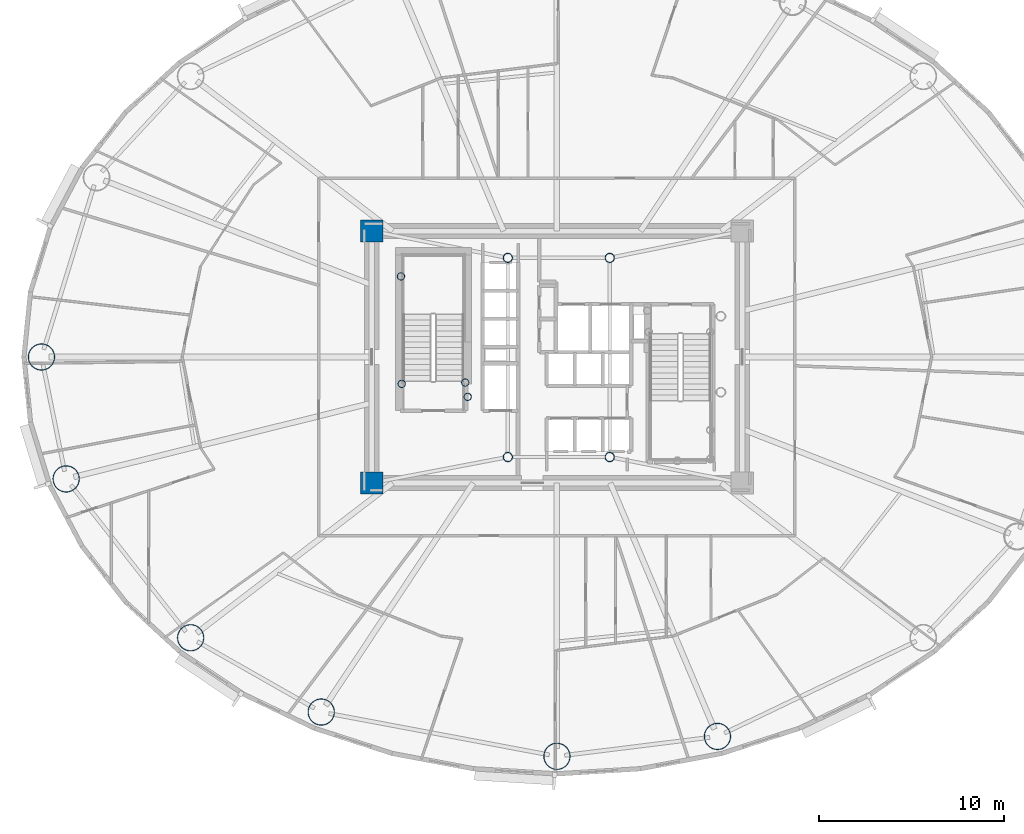
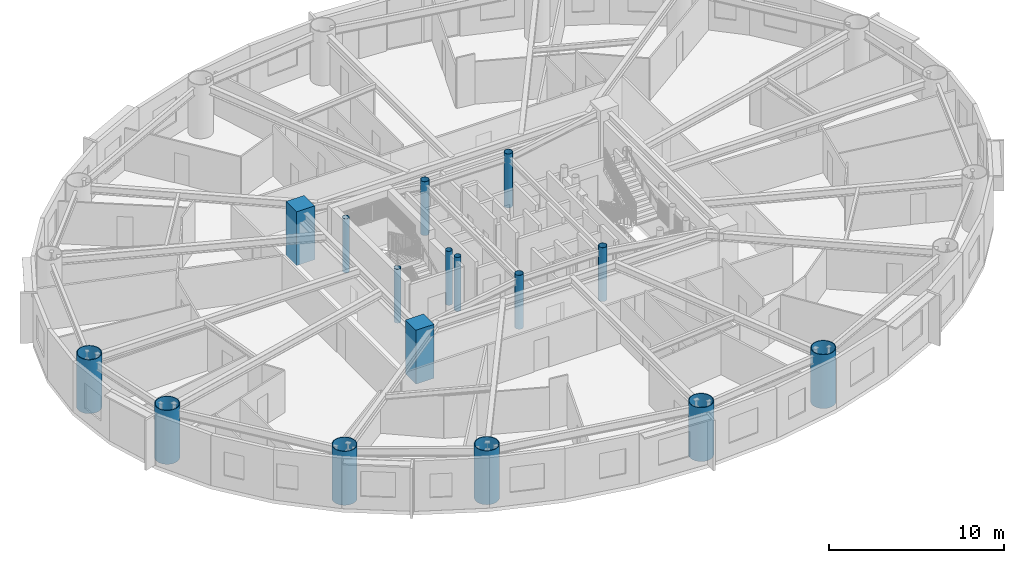
# One storey, part 1 of 16: 16 columns.
"""IFC4 building model written with IfcOpenShell, lengths in metres."""

from ifc_helpers import new_model, si_unit, direction, frame, origin, origin_2d, place, context, subcontext, project, spatial, rectangle, hollow_circle, extrude, material, material_profile, profile_set, type_object, element, save


model = new_model("IFC4")

# Units and contexts
model_context = context("Model", 3, precision=1e-05, world=origin(), true_north=direction((0.0, 1.0)))
body_context = subcontext(model_context, "Body", "Model", "MODEL_VIEW")
ifc_project = project(units=[si_unit("LENGTHUNIT", "METRE"), si_unit("AREAUNIT", "SQUARE_METRE"), si_unit("VOLUMEUNIT", "CUBIC_METRE"), si_unit("PLANEANGLEUNIT", "RADIAN"), si_unit("MASSUNIT", "GRAM", prefix="KILO")], contexts=[model_context])

# Site, building, storey
site_placement = place(None, origin())
site = spatial("IfcSite", under=ifc_project, at=site_placement, CompositionType="ELEMENT")
building_placement = place(site_placement, origin())
building = spatial("IfcBuilding", under=site, at=building_placement, Name="Linh Dai School and Residence Tower", CompositionType="ELEMENT")
storey_placement = place(building_placement, frame((0.0, 0.0, 108.449951171875)))
storey = spatial("IfcBuildingStorey", under=building, at=storey_placement, Name="L25", CompositionType="ELEMENT", Elevation=108.449951171875)

# Columns
ifc_material_1 = material(Name="Concrete B60 (C50/60)", Category="concrete")
ifc_material_profile_1 = material_profile(ifc_material_1, rectangle(XDim=1.199951171875, YDim=1.199951171875, at=origin_2d()), Name="RC 1200x1200")
ifc_profile_set_1 = profile_set([ifc_material_profile_1], Name="Concrete B60 (C50/60)")
column_type_1 = type_object("IfcColumnType", Name="COL-CC2", PredefinedType="COLUMN", material=ifc_profile_set_1)
for number, where, z_axis, x_axis, name in (
    (1, (26.0, 20.199951171875, 0.0), (0.0, 0.0, 1.0), (1.0, 0.0, 0.0), "L25 Core Corner Pier CC1"),
    (2, (26.0, 33.800048828125, 0.0), (0.0, 0.0, 1.0), (1.0, 0.0, 0.0), "L25 Core Corner Pier CC4"),
):
    element("IfcColumn", number, at=place(storey_placement, frame(where, z_axis=z_axis, x_axis=x_axis)), inside=storey, type_object=column_type_1, Name=name, PredefinedType="COLUMN", context=body_context, shape_type="SweptSolid", body=[
        extrude(rectangle(XDim=1.199951171875, YDim=1.199951171875, at=origin_2d()), origin(), (0.0, 0.0, 1.0), 3.75),
    ])
ifc_material_2 = material(Name="Structural Steel S355JR", Category="steel")
ifc_material_profile_2 = material_profile(ifc_material_2, hollow_circle(Radius=0.203125, WallThickness=0.01611328125, at=origin_2d()), Name="CHS 406.4x16")
ifc_profile_set_2 = profile_set([ifc_material_profile_2], Name="Structural Steel S355JR")
column_type_2 = type_object("IfcColumnType", Name="COL-EC", PredefinedType="COLUMN", material=ifc_profile_set_2)
for number, where, z_axis, x_axis, name in (
    (3, (27.580078125, 31.35009765625, 0.0), (0.0, 0.0, 1.0), (1.0, 0.0, 0.0), "L25 Stair Shaft Landing Support Pier ST1NW"),
    (4, (31.050048828125, 25.6201171875, 0.0), (0.0, 0.0, 1.0), (1.0, 0.0, 0.0), "L25 Stair Shaft Landing Support Pier ST1SE"),
    (5, (31.179931640625, 24.85009765625, 0.0), (0.0, 0.0, 1.0), (1.0, 0.0, 0.0), "L25 Stair Shaft Landing Support Pier ST1SM"),
    (6, (27.6201171875, 25.550048828125, 0.0), (0.0, 0.0, 1.0), (1.0, 0.0, 0.0), "L25 Stair Shaft Landing Support Pier ST1SW"),
):
    element("IfcColumn", number, at=place(storey_placement, frame(where, z_axis=z_axis, x_axis=x_axis)), inside=storey, type_object=column_type_2, Name=name, PredefinedType="COLUMN", context=body_context, shape_type="SweptSolid", body=[
        extrude(hollow_circle(Radius=0.203125, WallThickness=0.01611328125, at=origin_2d()), origin(), (0.0, 0.0, 1.0), 3.75),
    ])
ifc_material_profile_3 = material_profile(ifc_material_2, hollow_circle(Radius=0.72509765625, WallThickness=0.0419921875, at=origin_2d()), Name="CHS 1450x42")
ifc_profile_set_3 = profile_set([ifc_material_profile_3], Name="Structural Steel S355JR")
column_type_3 = type_object("IfcColumnType", Name="COL-MC3", PredefinedType="COLUMN", material=ifc_profile_set_3)
for number, where, z_axis, x_axis, name in (
    (7, (8.175048828125, 27.0, 0.0), (0.0, 0.0, 1.0), (1.0, 0.0, 0.0), "L25 Perimeter CFT Mega-Column MC09"),
    (8, (9.50732421875, 20.4189453125, 0.0), (0.0, 0.0, 1.0), (1.0, 0.0, 0.0), "L25 Perimeter CFT Mega-Column MC10"),
    (9, (16.227294921875, 11.844482421875, 0.0), (0.0, 0.0, 1.0), (1.0, 0.0, 0.0), "L25 Perimeter CFT Mega-Column MC11"),
    (10, (23.278076171875, 7.8349609375, 0.0), (0.0, 0.0, 1.0), (1.0, 0.0, 0.0), "L25 Perimeter CFT Mega-Column MC12"),
    (11, (36.0, 5.445068359375, 0.0), (0.0, 0.0, 1.0), (1.0, 0.0, 0.0), "L25 Perimeter CFT Mega-Column MC13"),
    (12, (44.66552734375, 6.519287109375, 0.0), (0.0, 0.0, 1.0), (1.0, 0.0, 0.0), "L25 Perimeter CFT Mega-Column MC14"),
):
    element("IfcColumn", number, at=place(storey_placement, frame(where, z_axis=z_axis, x_axis=x_axis)), inside=storey, type_object=column_type_3, Name=name, PredefinedType="COLUMN", context=body_context, shape_type="SweptSolid", body=[
        extrude(hollow_circle(Radius=0.72509765625, WallThickness=0.0419921875, at=origin_2d()), origin(), (0.0, 0.0, 1.0), 3.75),
    ])
ifc_material_profile_4 = material_profile(ifc_material_2, hollow_circle(Radius=0.25390625, WallThickness=0.02001953125, at=origin_2d()), Name="CHS 508x20")
ifc_profile_set_4 = profile_set([ifc_material_profile_4], Name="Structural Steel S355JR")
column_type_4 = type_object("IfcColumnType", Name="COL-MCP", PredefinedType="COLUMN", material=ifc_profile_set_4)
for number, where, z_axis, x_axis, name in (
    (13, (33.35009765625, 21.60009765625, 0.0), (0.0, 0.0, 1.0), (1.0, 0.0, 0.0), "L25 Core Mast Support Pier MCP1"),
    (14, (38.85009765625, 21.60009765625, 0.0), (0.0, 0.0, 1.0), (1.0, 0.0, 0.0), "L25 Core Mast Support Pier MCP2"),
    (15, (38.85009765625, 32.35009765625, 0.0), (0.0, 0.0, 1.0), (1.0, 0.0, 0.0), "L25 Core Mast Support Pier MCP3"),
    (16, (33.35009765625, 32.35009765625, 0.0), (0.0, 0.0, 1.0), (1.0, 0.0, 0.0), "L25 Core Mast Support Pier MCP4"),
):
    element("IfcColumn", number, at=place(storey_placement, frame(where, z_axis=z_axis, x_axis=x_axis)), inside=storey, type_object=column_type_4, Name=name, PredefinedType="COLUMN", context=body_context, shape_type="SweptSolid", body=[
        extrude(hollow_circle(Radius=0.25390625, WallThickness=0.02001953125, at=origin_2d()), origin(), (0.0, 0.0, 1.0), 3.75),
    ])

save(model, "model.ifc")
